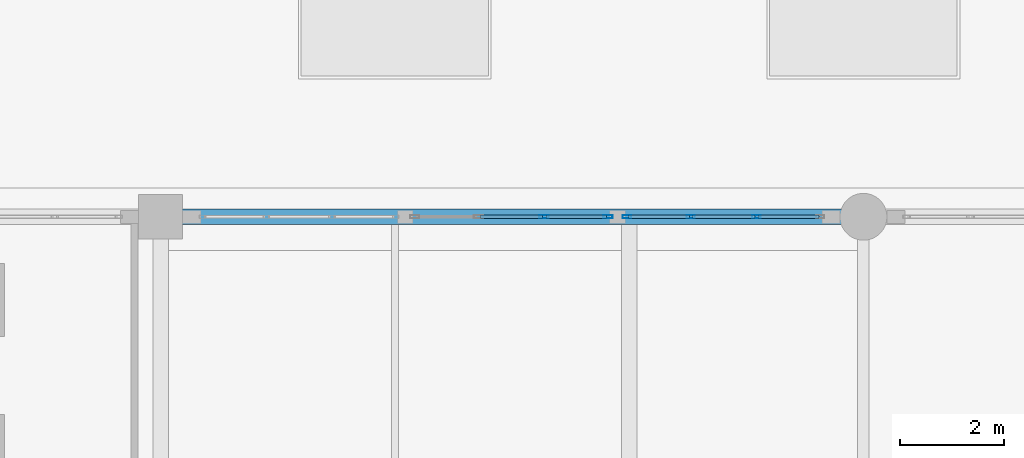
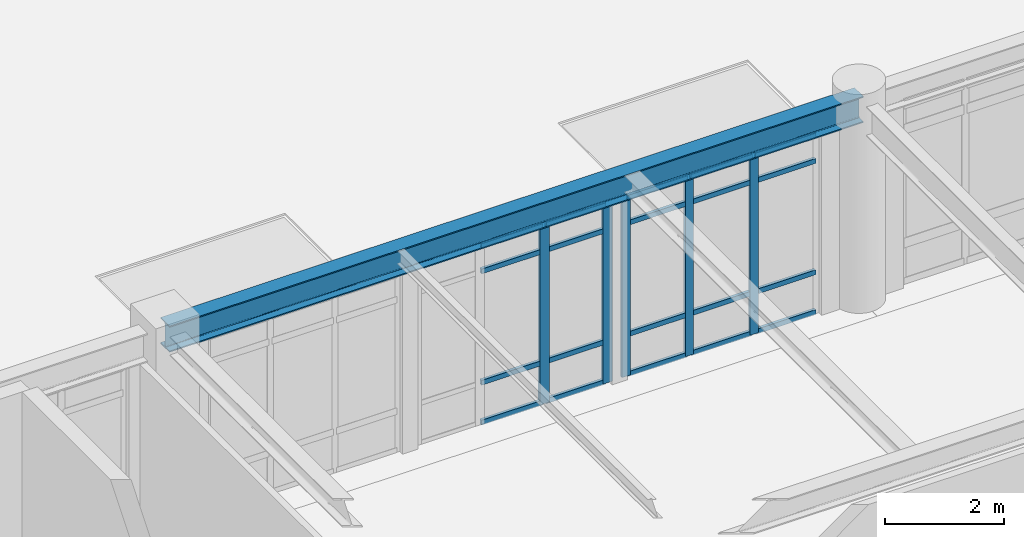
# One storey, part 24 of 55: 25 members, 1 beam, 2 elements without a shape of their own.
"""IFC4 building model written with IfcOpenShell, lengths in metres."""

import ifcopenshell
import ifcopenshell.guid

model = None  # the IFC model being written
_history = None  # IfcOwnerHistory: only IFC2X3 demands one
_inside = {}  # id of a spatial element -> (the spatial element, [elements in it])
_under = {}  # id of a project, library or spatial element -> (it, [spatial elements below it])
_declared = {}  # id of a project -> (the project, [libraries it declares])
_typed = {}  # id of a type object -> (the type object, [elements of that type])
_made_of = {}  # id of a material, layer set ... -> (it, [elements and type objects made of it])


def new_model(schema):
    """Start an empty IFC model of exactly this schema.

    Asked for "IFC4X3", IfcOpenShell would pick the latest addendum, in which some entities
    have other attributes; the version numbers below select the first issue.
    IFC2X3 requires an IfcOwnerHistory on every rooted entity: one is made here for all.
    """
    global model, _history
    if schema == "IFC4X3":
        model = ifcopenshell.file(schema_version=(4, 3, 0, 0))
    else:
        model = ifcopenshell.file(schema=schema)
    _inside.clear()
    _under.clear()
    _declared.clear()
    _typed.clear()
    _made_of.clear()
    _history = None
    if model.schema == "IFC2X3":
        org = make("IfcOrganization", Name="unknown")
        user = make(
            "IfcPersonAndOrganization",
            ThePerson=make("IfcPerson", FamilyName="unknown"),
            TheOrganization=org,
        )
        app = make(
            "IfcApplication",
            ApplicationDeveloper=org,
            Version="unknown",
            ApplicationFullName="unknown",
            ApplicationIdentifier="unknown",
        )
        _history = make(
            "IfcOwnerHistory",
            OwningUser=user,
            OwningApplication=app,
            ChangeAction="ADDED",
            CreationDate=0,
        )
    return model


def make(cls, **values):
    """One entity of the class cls with the attributes given. An attribute that is None is left unset."""
    return model.create_entity(
        cls, **{name: value for name, value in values.items() if value is not None}
    )


def rooted(cls, **values):
    """An entity with a GlobalId (a new one), such as an element, a storey or a relation."""
    return make(cls, GlobalId=ifcopenshell.guid.new(), OwnerHistory=_history, **values)


def si_unit(unit_type, name, prefix=None):
    """IfcSIUnit, for example si_unit("LENGTHUNIT", "METRE", prefix="MILLI")."""
    return make("IfcSIUnit", UnitType=unit_type, Prefix=prefix, Name=name)


def assignment(units):
    """IfcUnitAssignment: the units of a project."""
    return None if units is None else make("IfcUnitAssignment", Units=units)


def point(xyz):
    """IfcCartesianPoint."""
    return None if xyz is None else make("IfcCartesianPoint", Coordinates=xyz)


def direction(xyz):
    """IfcDirection."""
    return None if xyz is None else make("IfcDirection", DirectionRatios=xyz)


def frame(location, z_axis=None, x_axis=None):
    """IfcAxis2Placement3D, a coordinate frame: its origin and axes. An axis left out is left unset."""
    return make(
        "IfcAxis2Placement3D",
        Location=point(location),
        Axis=direction(z_axis),
        RefDirection=direction(x_axis),
    )


def frame_2d(location, x_axis=None):
    """IfcAxis2Placement2D, a coordinate frame in the plane: its origin and x axis."""
    return make(
        "IfcAxis2Placement2D", Location=point(location), RefDirection=direction(x_axis)
    )


def origin():
    """The frame at (0, 0, 0) with its axes left unset."""
    return frame((0.0, 0.0, 0.0))


def origin_2d():
    """The frame at (0, 0) in the plane with its x axis left unset."""
    return frame_2d((0.0, 0.0))


def place(relative_to, where):
    """IfcLocalPlacement: puts the frame where relative to a parent placement (None: the world)."""
    return make(
        "IfcLocalPlacement", PlacementRelTo=relative_to, RelativePlacement=where
    )


def context(
    kind, dimensions, precision=None, world=None, true_north=None, identifier=None
):
    """IfcGeometricRepresentationContext, for example the 3D "Model" context."""
    return make(
        "IfcGeometricRepresentationContext",
        ContextIdentifier=identifier,
        ContextType=kind,
        CoordinateSpaceDimension=dimensions,
        Precision=precision,
        WorldCoordinateSystem=world,
        TrueNorth=true_north,
    )


def subcontext(parent, identifier, kind, view, scale=None):
    """IfcGeometricRepresentationSubContext, for example "Body" below "Model"."""
    return make(
        "IfcGeometricRepresentationSubContext",
        ContextIdentifier=identifier,
        ContextType=kind,
        ParentContext=parent,
        TargetScale=scale,
        TargetView=view,
    )


def project(units=None, contexts=None):
    """IfcProject with its units and contexts."""
    return rooted(
        "IfcProject",
        Name="project",
        RepresentationContexts=contexts,
        UnitsInContext=assignment(units),
    )


def spatial(cls, under=None, at=None, **own):
    """A site, building, storey or space (cls), placed at a placement, below another one or the project."""
    s = rooted(cls, ObjectPlacement=at, **own)
    if under is not None:
        _under.setdefault(under.id(), (under, []))[1].append(s)
    return s


def profile(cls, at=None, kind="AREA", **sizes):
    """A parametric profile (cls). Its sizes go by their IFC names, for example OverallWidth=200.0."""
    return make(cls, ProfileType=kind, Position=at, **sizes)


def hollow_rectangle(**sizes):
    """IfcRectangleHollowProfileDef."""
    return profile("IfcRectangleHollowProfileDef", **sizes)


def i_section(**sizes):
    """IfcIShapeProfileDef."""
    return profile("IfcIShapeProfileDef", **sizes)


def extrude(swept, where, along, depth):
    """IfcExtrudedAreaSolid: the profile swept, set in the frame where, extruded along a direction by depth."""
    return make(
        "IfcExtrudedAreaSolid",
        SweptArea=swept,
        Position=where,
        ExtrudedDirection=direction(along),
        Depth=depth,
    )


def shape(context_of_items, identifier, shape_type, items):
    """IfcShapeRepresentation: the items that make up one representation, for example the "Body"."""
    return make(
        "IfcShapeRepresentation",
        ContextOfItems=context_of_items,
        RepresentationIdentifier=identifier,
        RepresentationType=shape_type,
        Items=items,
    )


def material(Name=None, Category=None):
    """IfcMaterial."""
    return make("IfcMaterial", Name=Name, Category=Category)


def layer(
    of_material, thickness, ventilated=None, Name=None, Category=None, Priority=None
):
    """IfcMaterialLayer: one layer of a wall or slab, of a material (None: an air gap)."""
    return make(
        "IfcMaterialLayer",
        Material=of_material,
        LayerThickness=thickness,
        IsVentilated=ventilated,
        Name=Name,
        Category=Category,
        Priority=Priority,
    )


def layer_set(layers, Name=None):
    """IfcMaterialLayerSet."""
    return make("IfcMaterialLayerSet", MaterialLayers=layers, LayerSetName=Name)


def material_profile(
    of_material, cross_section, Name=None, Category=None, Priority=None
):
    """IfcMaterialProfile: a cross section and its material."""
    return make(
        "IfcMaterialProfile",
        Name=Name,
        Material=of_material,
        Profile=cross_section,
        Priority=Priority,
        Category=Category,
    )


def profile_set(profiles, Name=None, composite=None):
    """IfcMaterialProfileSet."""
    return make(
        "IfcMaterialProfileSet",
        Name=Name,
        MaterialProfiles=profiles,
        CompositeProfile=composite,
    )


def made_of(thing, what):
    """Note that an element or type object is made of a material, layer set ...; save() writes the relation."""
    if what is not None:
        _made_of.setdefault(what.id(), (what, []))[1].append(thing)
    return thing


def type_object(cls, material=None, **own):
    """A type object (cls), such as IfcWallType, which elements share."""
    return made_of(rooted(cls, **own), material)


def element(
    cls,
    number,
    at=None,
    inside=None,
    cuts=None,
    type_object=None,
    material=None,
    context=None,
    identifier="Body",
    shape_type=None,
    held_by="IfcProductDefinitionShape",
    body=None,
    shapes=None,
    **own,
):
    """One element of the class cls, such as IfcWall. Its Tag is "e" and its number.

    at: its placement. inside: the storey or other place that contains it. cuts: it is an
    opening in that element (IfcRelVoidsElement). A single representation is given by context,
    identifier, shape_type and body (its items); several are given by shapes. held_by: the class
    of the entity that holds the representations. save() writes the other relations.
    """
    e = rooted(cls, Tag="e%d" % number, ObjectPlacement=at, **own)
    if body is not None:
        shapes = [shape(context, identifier, shape_type, body)]
    if shapes is not None:
        e.Representation = make(held_by, Representations=shapes)
    if inside is not None:
        _inside.setdefault(inside.id(), (inside, []))[1].append(e)
    if cuts is not None:
        rooted(
            "IfcRelVoidsElement", RelatingBuildingElement=cuts, RelatedOpeningElement=e
        )
    if type_object is not None:
        _typed.setdefault(type_object.id(), (type_object, []))[1].append(e)
    return made_of(e, material)


def aggregate(whole, parts):
    """IfcRelAggregates: a whole, such as a stair, and the parts it consists of."""
    return rooted("IfcRelAggregates", RelatingObject=whole, RelatedObjects=parts)


def save(model, path):
    """Write the relations noted so far, then the file.

    IfcRelAggregates (storeys below a building ...), IfcRelContainedInSpatialStructure (elements
    in a storey), IfcRelDefinesByType, IfcRelAssociatesMaterial and IfcRelDeclares: one each for
    every whole, place, type object, material and project.
    """
    for whole, parts in _under.values():
        aggregate(whole, parts)
    for where, things in _inside.values():
        rooted(
            "IfcRelContainedInSpatialStructure",
            RelatedElements=things,
            RelatingStructure=where,
        )
    for kind, things in _typed.values():
        rooted("IfcRelDefinesByType", RelatedObjects=things, RelatingType=kind)
    for what, things in _made_of.values():
        rooted("IfcRelAssociatesMaterial", RelatedObjects=things, RelatingMaterial=what)
    for by, libraries in _declared.values():
        rooted("IfcRelDeclares", RelatingContext=by, RelatedDefinitions=libraries)
    model.write(path)


model = new_model("IFC4")

# Units and contexts
model_context = context("Model", 3, precision=1e-05, world=origin(), true_north=direction((0.0, 1.0)))
body_context = subcontext(model_context, "Body", "Model", "MODEL_VIEW")
ifc_project = project(units=[si_unit("LENGTHUNIT", "METRE"), si_unit("AREAUNIT", "SQUARE_METRE"), si_unit("VOLUMEUNIT", "CUBIC_METRE"), si_unit("PLANEANGLEUNIT", "RADIAN"), si_unit("MASSUNIT", "GRAM", prefix="KILO")], contexts=[model_context])

# Site, building, storey
site_placement = place(None, origin())
site = spatial("IfcSite", under=ifc_project, at=site_placement, CompositionType="ELEMENT")
building_placement = place(site_placement, origin())
building = spatial("IfcBuilding", under=site, at=building_placement, Name="Fikremerkos Civic Library", CompositionType="ELEMENT")
storey_placement = place(building_placement, frame((0.0, 0.0, 18.89990234375)))
storey = spatial("IfcBuildingStorey", under=building, at=storey_placement, Name="L04", CompositionType="ELEMENT", Elevation=18.89990234375)

# Curtain wall, members
ifc_material_1 = material(Name="Anodized aluminium Frame", Category="aluminium")
ifc_layer_1 = layer(ifc_material_1, 0.159912109375, Name="Anodized aluminium Frame")
ifc_layer_set_1 = layer_set([ifc_layer_1], Name="Anodized aluminium Frame")
curtain_wall_type_1 = type_object("IfcCurtainWallType", Name="Unitised curtain wall CW-05 3800x4100", PredefinedType="USERDEFINED", material=ifc_layer_set_1)
curtain_wall_1_placement = place(storey_placement, origin())
curtain_wall_1 = element("IfcCurtainWall", 1, at=curtain_wall_1_placement, inside=storey, type_object=curtain_wall_type_1, Name="Unitised curtain wall CW-05 L04 #239", ObjectType="UNITISED CURTAIN WALL", PredefinedType="USERDEFINED")
ifc_material_profile_1 = material_profile(ifc_material_1, hollow_rectangle(XDim=0.06494140625, YDim=0.179931640625, WallThickness=0.00439453125, at=origin_2d()), Name="ALU 180x65x4.5")
ifc_profile_set_1 = profile_set([ifc_material_profile_1], Name="Anodized aluminium Frame")
member_type_1 = type_object("IfcMemberType", Name="Curtain mullion CWM-01 ALU 180x65x4.5", PredefinedType="MULLION", material=ifc_profile_set_1)
member_1_placement = place(storey_placement, frame((67.06689453125, 31.199951171875, 0.0), z_axis=(0.0, 0.0, 1.0), x_axis=(0.0, 1.0, 0.0)))
member_1 = element("IfcMember", 2, at=member_1_placement, type_object=member_type_1, Name="CW-05 mullion 3", PredefinedType="MULLION", context=body_context, shape_type="SweptSolid", body=[
    extrude(hollow_rectangle(XDim=0.06494140625, YDim=0.179931640625, WallThickness=0.00439453125, at=origin_2d()), origin(), (0.0, 0.0, 1.0), 3.690185546875),
])
member_2_placement = place(storey_placement, frame((68.293212890625, 31.199951171875, 0.0), z_axis=(0.0, 0.0, 1.0), x_axis=(0.0, 1.0, 0.0)))
member_2 = element("IfcMember", 3, at=member_2_placement, type_object=member_type_1, Name="CW-05 mullion 4", PredefinedType="MULLION", context=body_context, shape_type="SweptSolid", body=[
    extrude(hollow_rectangle(XDim=0.06494140625, YDim=0.179931640625, WallThickness=0.00439453125, at=origin_2d()), origin(), (0.0, 0.0, 1.0), 3.690185546875),
])

ifc_layer_2 = layer(ifc_material_1, 0.159912109375, Name="Anodized aluminium Frame")
ifc_layer_set_2 = layer_set([ifc_layer_2], Name="Anodized aluminium Frame")
curtain_wall_type_2 = type_object("IfcCurtainWallType", Name="Unitised curtain wall CW-06 4200x4100", PredefinedType="USERDEFINED", material=ifc_layer_set_2)
curtain_wall_2_placement = place(storey_placement, origin())
curtain_wall_2 = element("IfcCurtainWall", 4, at=curtain_wall_2_placement, inside=storey, type_object=curtain_wall_type_2, Name="Unitised curtain wall CW-06 L04 #240", ObjectType="UNITISED CURTAIN WALL", PredefinedType="USERDEFINED")
ifc_material_profile_2 = material_profile(ifc_material_1, hollow_rectangle(XDim=0.06005859375, YDim=0.159912109375, WallThickness=0.00390625, at=origin_2d()), Name="ALU 160x60x4")
ifc_profile_set_2 = profile_set([ifc_material_profile_2], Name="Anodized aluminium Frame")
member_type_2 = type_object("IfcMemberType", Name="Curtain mullion CWM-02 ALU 160x60x4", PredefinedType="MULLION", material=ifc_profile_set_2)
member_3_placement = place(storey_placement, frame((68.65576171875, 31.199951171875, 0.0), z_axis=(0.0, 0.0, 1.0), x_axis=(0.0, 1.0, 0.0)))
member_3 = element("IfcMember", 5, at=member_3_placement, type_object=member_type_2, Name="CW-06 mullion 1", PredefinedType="MULLION", context=body_context, shape_type="SweptSolid", body=[
    extrude(hollow_rectangle(XDim=0.06005859375, YDim=0.159912109375, WallThickness=0.00390625, at=origin_2d()), origin(), (0.0, 0.0, 1.0), 3.690185546875),
])
member_4_placement = place(storey_placement, frame((69.884521484375, 31.199951171875, 0.0), z_axis=(0.0, 0.0, 1.0), x_axis=(0.0, 1.0, 0.0)))
member_4 = element("IfcMember", 6, at=member_4_placement, type_object=member_type_2, Name="CW-06 mullion 2", PredefinedType="MULLION", context=body_context, shape_type="SweptSolid", body=[
    extrude(hollow_rectangle(XDim=0.06005859375, YDim=0.159912109375, WallThickness=0.00390625, at=origin_2d()), origin(), (0.0, 0.0, 1.0), 3.690185546875),
])
member_5_placement = place(storey_placement, frame((71.143310546875, 31.199951171875, 0.0), z_axis=(0.0, 0.0, 1.0), x_axis=(0.0, 1.0, 0.0)))
member_5 = element("IfcMember", 7, at=member_5_placement, type_object=member_type_2, Name="CW-06 mullion 3", PredefinedType="MULLION", context=body_context, shape_type="SweptSolid", body=[
    extrude(hollow_rectangle(XDim=0.06005859375, YDim=0.159912109375, WallThickness=0.00390625, at=origin_2d()), origin(), (0.0, 0.0, 1.0), 3.690185546875),
])

# Member
ifc_material_profile_3 = material_profile(ifc_material_1, hollow_rectangle(XDim=0.06005859375, YDim=0.10009765625, WallThickness=0.00390625, at=origin_2d()), Name="ALU 100x60x4")
ifc_profile_set_3 = profile_set([ifc_material_profile_3], Name="Anodized aluminium Frame")
member_type_3 = type_object("IfcMemberType", Name="Curtain transom CWT-03 ALU 100x60x4", PredefinedType="USERDEFINED", material=ifc_profile_set_3)
member_6_placement = place(storey_placement, frame((65.840576171875, 31.199951171875, 0.030029296875), z_axis=(1.0, 0.0, 0.0), x_axis=(0.0, 1.0, 0.0)))
member_6 = element("IfcMember", 8, at=member_6_placement, type_object=member_type_3, Name="CW-05 transom 2.1", ObjectType="TRANSOM", PredefinedType="USERDEFINED", context=body_context, shape_type="SweptSolid", body=[
    extrude(hollow_rectangle(XDim=0.06005859375, YDim=0.10009765625, WallThickness=0.00390625, at=origin_2d()), origin(), (0.0, 0.0, 1.0), 1.19384765625),
])

member_7_placement = place(storey_placement, frame((65.840576171875, 31.199951171875, 0.85009765625), z_axis=(1.0, 0.0, 0.0), x_axis=(0.0, 1.0, 0.0)))
member_7 = element("IfcMember", 9, at=member_7_placement, type_object=member_type_3, Name="CW-05 transom 2.2", ObjectType="TRANSOM", PredefinedType="USERDEFINED", context=body_context, shape_type="SweptSolid", body=[
    extrude(hollow_rectangle(XDim=0.06005859375, YDim=0.10009765625, WallThickness=0.00390625, at=origin_2d()), origin(), (0.0, 0.0, 1.0), 1.19384765625),
])

member_8_placement = place(storey_placement, frame((65.840576171875, 31.199951171875, 3.14013671875), z_axis=(1.0, 0.0, 0.0), x_axis=(0.0, 1.0, 0.0)))
member_8 = element("IfcMember", 10, at=member_8_placement, type_object=member_type_3, Name="CW-05 transom 2.3", ObjectType="TRANSOM", PredefinedType="USERDEFINED", context=body_context, shape_type="SweptSolid", body=[
    extrude(hollow_rectangle(XDim=0.06005859375, YDim=0.10009765625, WallThickness=0.00390625, at=origin_2d()), origin(), (0.0, 0.0, 1.0), 1.19384765625),
])

member_9_placement = place(storey_placement, frame((65.840576171875, 31.199951171875, 3.66015625), z_axis=(1.0, 0.0, 0.0), x_axis=(0.0, 1.0, 0.0)))
member_9 = element("IfcMember", 11, at=member_9_placement, type_object=member_type_3, Name="CW-05 transom 2.4", ObjectType="TRANSOM", PredefinedType="USERDEFINED", context=body_context, shape_type="SweptSolid", body=[
    extrude(hollow_rectangle(XDim=0.06005859375, YDim=0.10009765625, WallThickness=0.00390625, at=origin_2d()), origin(), (0.0, 0.0, 1.0), 1.19384765625),
])

member_10_placement = place(storey_placement, frame((67.099365234375, 31.199951171875, 0.030029296875), z_axis=(1.0, 0.0, 0.0), x_axis=(0.0, 1.0, 0.0)))
member_10 = element("IfcMember", 12, at=member_10_placement, type_object=member_type_3, Name="CW-05 transom 3.1", ObjectType="TRANSOM", PredefinedType="USERDEFINED", context=body_context, shape_type="SweptSolid", body=[
    extrude(hollow_rectangle(XDim=0.06005859375, YDim=0.10009765625, WallThickness=0.00390625, at=origin_2d()), origin(), (0.0, 0.0, 1.0), 1.161376953125),
])

member_11_placement = place(storey_placement, frame((67.099365234375, 31.199951171875, 0.85009765625), z_axis=(1.0, 0.0, 0.0), x_axis=(0.0, 1.0, 0.0)))
member_11 = element("IfcMember", 13, at=member_11_placement, type_object=member_type_3, Name="CW-05 transom 3.2", ObjectType="TRANSOM", PredefinedType="USERDEFINED", context=body_context, shape_type="SweptSolid", body=[
    extrude(hollow_rectangle(XDim=0.06005859375, YDim=0.10009765625, WallThickness=0.00390625, at=origin_2d()), origin(), (0.0, 0.0, 1.0), 1.161376953125),
])

member_12_placement = place(storey_placement, frame((67.099365234375, 31.199951171875, 3.14013671875), z_axis=(1.0, 0.0, 0.0), x_axis=(0.0, 1.0, 0.0)))
member_12 = element("IfcMember", 14, at=member_12_placement, type_object=member_type_3, Name="CW-05 transom 3.3", ObjectType="TRANSOM", PredefinedType="USERDEFINED", context=body_context, shape_type="SweptSolid", body=[
    extrude(hollow_rectangle(XDim=0.06005859375, YDim=0.10009765625, WallThickness=0.00390625, at=origin_2d()), origin(), (0.0, 0.0, 1.0), 1.161376953125),
])

member_13_placement = place(storey_placement, frame((67.099365234375, 31.199951171875, 3.66015625), z_axis=(1.0, 0.0, 0.0), x_axis=(0.0, 1.0, 0.0)))
member_13 = element("IfcMember", 15, at=member_13_placement, type_object=member_type_3, Name="CW-05 transom 3.4", ObjectType="TRANSOM", PredefinedType="USERDEFINED", context=body_context, shape_type="SweptSolid", body=[
    extrude(hollow_rectangle(XDim=0.06005859375, YDim=0.10009765625, WallThickness=0.00390625, at=origin_2d()), origin(), (0.0, 0.0, 1.0), 1.161376953125),
])

aggregate(curtain_wall_1, [member_1, member_2, member_6, member_7, member_8, member_9, member_10, member_11, member_12, member_13])

member_14_placement = place(storey_placement, frame((68.685791015625, 31.199951171875, 0.030029296875), z_axis=(1.0, 0.0, 0.0), x_axis=(0.0, 1.0, 0.0)))
member_14 = element("IfcMember", 16, at=member_14_placement, type_object=member_type_3, Name="CW-06 transom 1.1", ObjectType="TRANSOM", PredefinedType="USERDEFINED", context=body_context, shape_type="SweptSolid", body=[
    extrude(hollow_rectangle(XDim=0.06005859375, YDim=0.10009765625, WallThickness=0.00390625, at=origin_2d()), origin(), (0.0, 0.0, 1.0), 1.168701171875),
])

member_15_placement = place(storey_placement, frame((68.685791015625, 31.199951171875, 0.85009765625), z_axis=(1.0, 0.0, 0.0), x_axis=(0.0, 1.0, 0.0)))
member_15 = element("IfcMember", 17, at=member_15_placement, type_object=member_type_3, Name="CW-06 transom 1.2", ObjectType="TRANSOM", PredefinedType="USERDEFINED", context=body_context, shape_type="SweptSolid", body=[
    extrude(hollow_rectangle(XDim=0.06005859375, YDim=0.10009765625, WallThickness=0.00390625, at=origin_2d()), origin(), (0.0, 0.0, 1.0), 1.168701171875),
])

member_16_placement = place(storey_placement, frame((68.685791015625, 31.199951171875, 3.14013671875), z_axis=(1.0, 0.0, 0.0), x_axis=(0.0, 1.0, 0.0)))
member_16 = element("IfcMember", 18, at=member_16_placement, type_object=member_type_3, Name="CW-06 transom 1.3", ObjectType="TRANSOM", PredefinedType="USERDEFINED", context=body_context, shape_type="SweptSolid", body=[
    extrude(hollow_rectangle(XDim=0.06005859375, YDim=0.10009765625, WallThickness=0.00390625, at=origin_2d()), origin(), (0.0, 0.0, 1.0), 1.168701171875),
])

member_17_placement = place(storey_placement, frame((68.685791015625, 31.199951171875, 3.66015625), z_axis=(1.0, 0.0, 0.0), x_axis=(0.0, 1.0, 0.0)))
member_17 = element("IfcMember", 19, at=member_17_placement, type_object=member_type_3, Name="CW-06 transom 1.4", ObjectType="TRANSOM", PredefinedType="USERDEFINED", context=body_context, shape_type="SweptSolid", body=[
    extrude(hollow_rectangle(XDim=0.06005859375, YDim=0.10009765625, WallThickness=0.00390625, at=origin_2d()), origin(), (0.0, 0.0, 1.0), 1.168701171875),
])

member_18_placement = place(storey_placement, frame((69.91455078125, 31.199951171875, 0.030029296875), z_axis=(1.0, 0.0, 0.0), x_axis=(0.0, 1.0, 0.0)))
member_18 = element("IfcMember", 20, at=member_18_placement, type_object=member_type_3, Name="CW-06 transom 2.1", ObjectType="TRANSOM", PredefinedType="USERDEFINED", context=body_context, shape_type="SweptSolid", body=[
    extrude(hollow_rectangle(XDim=0.06005859375, YDim=0.10009765625, WallThickness=0.00390625, at=origin_2d()), origin(), (0.0, 0.0, 1.0), 1.19873046875),
])

member_19_placement = place(storey_placement, frame((69.91455078125, 31.199951171875, 0.85009765625), z_axis=(1.0, 0.0, 0.0), x_axis=(0.0, 1.0, 0.0)))
member_19 = element("IfcMember", 21, at=member_19_placement, type_object=member_type_3, Name="CW-06 transom 2.2", ObjectType="TRANSOM", PredefinedType="USERDEFINED", context=body_context, shape_type="SweptSolid", body=[
    extrude(hollow_rectangle(XDim=0.06005859375, YDim=0.10009765625, WallThickness=0.00390625, at=origin_2d()), origin(), (0.0, 0.0, 1.0), 1.19873046875),
])

member_20_placement = place(storey_placement, frame((69.91455078125, 31.199951171875, 3.14013671875), z_axis=(1.0, 0.0, 0.0), x_axis=(0.0, 1.0, 0.0)))
member_20 = element("IfcMember", 22, at=member_20_placement, type_object=member_type_3, Name="CW-06 transom 2.3", ObjectType="TRANSOM", PredefinedType="USERDEFINED", context=body_context, shape_type="SweptSolid", body=[
    extrude(hollow_rectangle(XDim=0.06005859375, YDim=0.10009765625, WallThickness=0.00390625, at=origin_2d()), origin(), (0.0, 0.0, 1.0), 1.19873046875),
])

member_21_placement = place(storey_placement, frame((69.91455078125, 31.199951171875, 3.66015625), z_axis=(1.0, 0.0, 0.0), x_axis=(0.0, 1.0, 0.0)))
member_21 = element("IfcMember", 23, at=member_21_placement, type_object=member_type_3, Name="CW-06 transom 2.4", ObjectType="TRANSOM", PredefinedType="USERDEFINED", context=body_context, shape_type="SweptSolid", body=[
    extrude(hollow_rectangle(XDim=0.06005859375, YDim=0.10009765625, WallThickness=0.00390625, at=origin_2d()), origin(), (0.0, 0.0, 1.0), 1.19873046875),
])

member_22_placement = place(storey_placement, frame((71.17333984375, 31.199951171875, 0.030029296875), z_axis=(1.0, 0.0, 0.0), x_axis=(0.0, 1.0, 0.0)))
member_22 = element("IfcMember", 24, at=member_22_placement, type_object=member_type_3, Name="CW-06 transom 3.1", ObjectType="TRANSOM", PredefinedType="USERDEFINED", context=body_context, shape_type="SweptSolid", body=[
    extrude(hollow_rectangle(XDim=0.06005859375, YDim=0.10009765625, WallThickness=0.00390625, at=origin_2d()), origin(), (0.0, 0.0, 1.0), 1.168701171875),
])

member_23_placement = place(storey_placement, frame((71.17333984375, 31.199951171875, 0.85009765625), z_axis=(1.0, 0.0, 0.0), x_axis=(0.0, 1.0, 0.0)))
member_23 = element("IfcMember", 25, at=member_23_placement, type_object=member_type_3, Name="CW-06 transom 3.2", ObjectType="TRANSOM", PredefinedType="USERDEFINED", context=body_context, shape_type="SweptSolid", body=[
    extrude(hollow_rectangle(XDim=0.06005859375, YDim=0.10009765625, WallThickness=0.00390625, at=origin_2d()), origin(), (0.0, 0.0, 1.0), 1.168701171875),
])

member_24_placement = place(storey_placement, frame((71.17333984375, 31.199951171875, 3.14013671875), z_axis=(1.0, 0.0, 0.0), x_axis=(0.0, 1.0, 0.0)))
member_24 = element("IfcMember", 26, at=member_24_placement, type_object=member_type_3, Name="CW-06 transom 3.3", ObjectType="TRANSOM", PredefinedType="USERDEFINED", context=body_context, shape_type="SweptSolid", body=[
    extrude(hollow_rectangle(XDim=0.06005859375, YDim=0.10009765625, WallThickness=0.00390625, at=origin_2d()), origin(), (0.0, 0.0, 1.0), 1.168701171875),
])

member_25_placement = place(storey_placement, frame((71.17333984375, 31.199951171875, 3.66015625), z_axis=(1.0, 0.0, 0.0), x_axis=(0.0, 1.0, 0.0)))
member_25 = element("IfcMember", 27, at=member_25_placement, type_object=member_type_3, Name="CW-06 transom 3.4", ObjectType="TRANSOM", PredefinedType="USERDEFINED", context=body_context, shape_type="SweptSolid", body=[
    extrude(hollow_rectangle(XDim=0.06005859375, YDim=0.10009765625, WallThickness=0.00390625, at=origin_2d()), origin(), (0.0, 0.0, 1.0), 1.168701171875),
])

aggregate(curtain_wall_2, [member_3, member_4, member_5, member_14, member_15, member_16, member_17, member_18, member_19, member_20, member_21, member_22, member_23, member_24, member_25])

# Beam
ifc_material_2 = material(Name="Steel S355", Category="steel")
ifc_material_profile_4 = material_profile(ifc_material_2, i_section(OverallWidth=0.300048828125, OverallDepth=0.5400390625, WebThickness=0.012451171875, FlangeThickness=0.02392578125, FilletRadius=0.027099609375, at=origin_2d()), Name="HEA 550")
ifc_profile_set_4 = profile_set([ifc_material_profile_4], Name="Steel S355")
beam_type = type_object("IfcBeamType", Name="Primary girder BM-16 HEA 550", PredefinedType="BEAM", material=ifc_profile_set_4)
beam_placement = place(storey_placement, frame((59.699951171875, 31.199951171875, 3.97021484375), z_axis=(1.0, 0.0, 0.0), x_axis=(0.0, 1.0, 0.0)))
element("IfcBeam", 28, at=beam_placement, inside=storey, type_object=beam_type, Name="Primary girder BM-16 L04 grid G", PredefinedType="BEAM", context=body_context, shape_type="SweptSolid", body=[
    extrude(i_section(OverallWidth=0.300048828125, OverallDepth=0.5400390625, WebThickness=0.012451171875, FlangeThickness=0.02392578125, FilletRadius=0.027099609375, at=origin_2d()), origin(), (0.0, 0.0, 1.0), 13.5),
])

save(model, "model.ifc")
